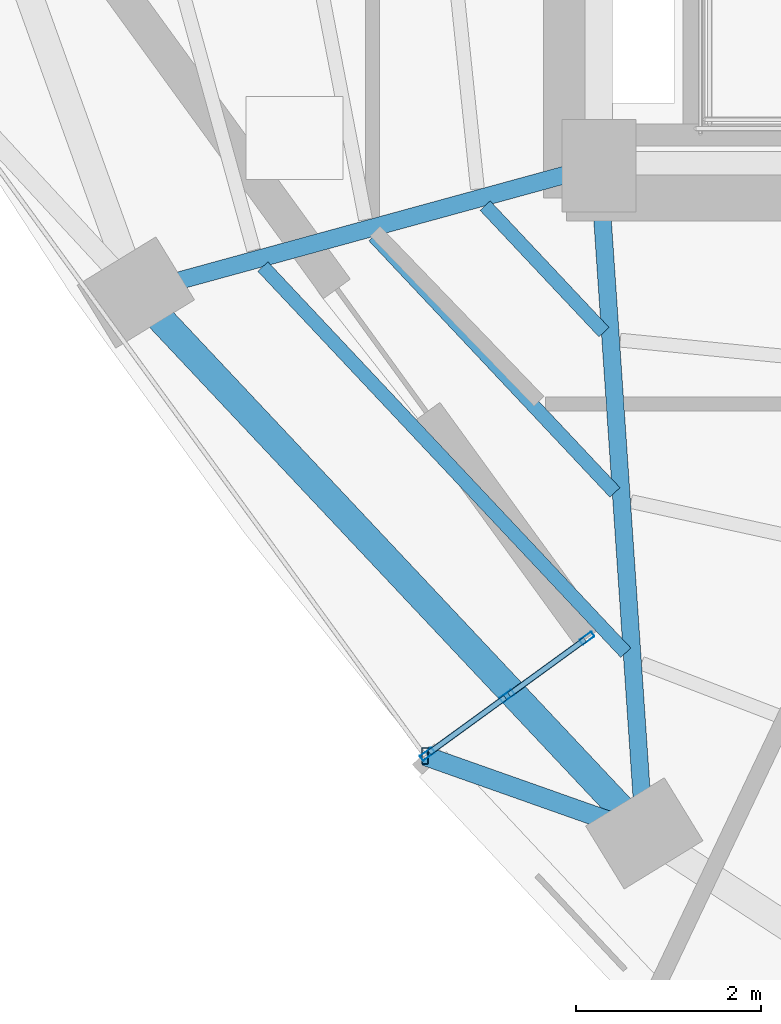
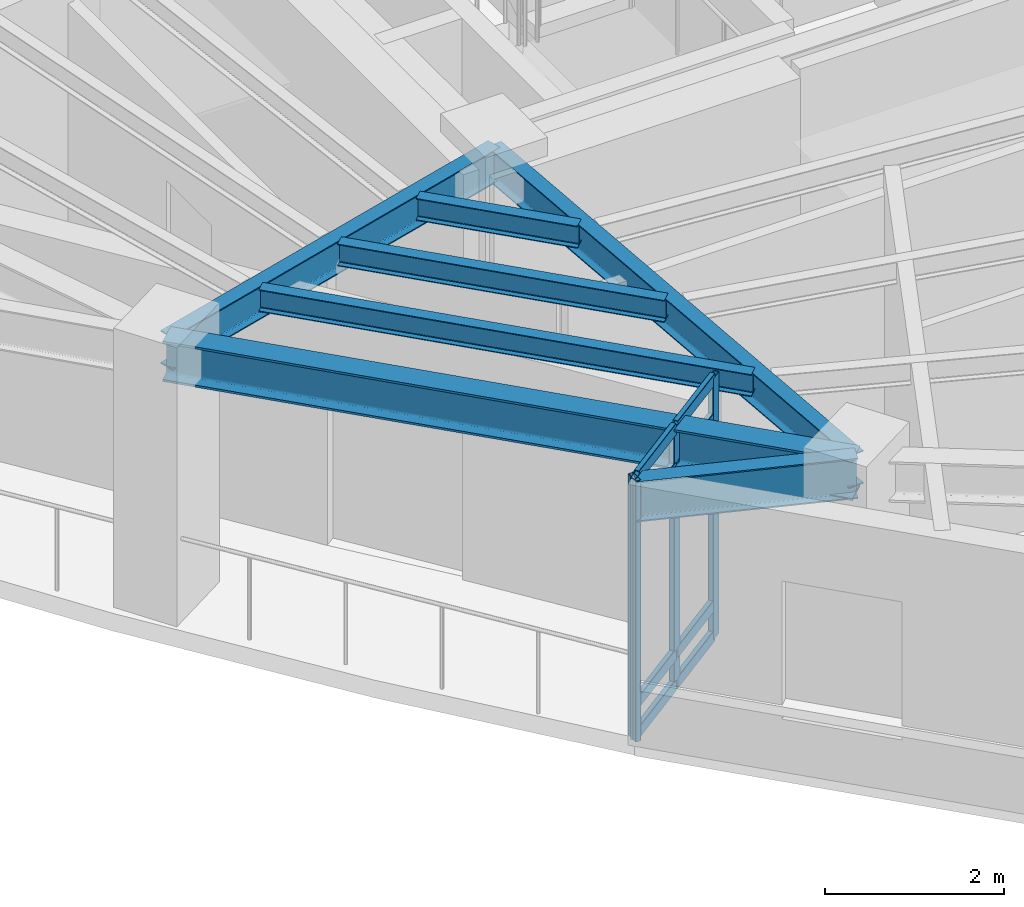
# One storey, part 2 of 13: 12 members, 7 beams, 1 element without a shape of its own.
"""IFC4 building model written with IfcOpenShell, lengths in metres."""

from ifc_helpers import new_model, si_unit, direction, frame, origin, origin_2d, place, context, subcontext, project, spatial, hollow_rectangle, i_section, extrude, material, layer, layer_set, material_profile, profile_set, type_object, element, aggregate, save


model = new_model("IFC4")

# Units and contexts
model_context = context("Model", 3, precision=1e-05, world=origin(), true_north=direction((0.0, 1.0)))
body_context = subcontext(model_context, "Body", "Model", "MODEL_VIEW")
ifc_project = project(units=[si_unit("LENGTHUNIT", "METRE"), si_unit("AREAUNIT", "SQUARE_METRE"), si_unit("VOLUMEUNIT", "CUBIC_METRE"), si_unit("PLANEANGLEUNIT", "RADIAN"), si_unit("MASSUNIT", "GRAM", prefix="KILO")], contexts=[model_context])

# Site, building, storey
site_placement = place(None, origin())
site = spatial("IfcSite", under=ifc_project, at=site_placement, CompositionType="ELEMENT")
building_placement = place(site_placement, origin())
building = spatial("IfcBuilding", under=site, at=building_placement, Name="Ndelora Gate Hotel", CompositionType="ELEMENT")
storey_placement = place(building_placement, frame((0.0, 0.0, 235.949951171875)))
storey = spatial("IfcBuildingStorey", under=building, at=storey_placement, Name="L59", CompositionType="ELEMENT", Elevation=235.949951171875)

# Beams
ifc_material_1 = material(Name="Steel S355", Category="steel")
ifc_material_profile_1 = material_profile(ifc_material_1, i_section(OverallWidth=0.14990234375, OverallDepth=0.300048828125, WebThickness=0.007080078125, FlangeThickness=0.0107421875, FilletRadius=0.014892578125, at=origin_2d()), Name="IPE 300")
ifc_profile_set_1 = profile_set([ifc_material_profile_1], Name="Steel S355")
beam_type_1 = type_object("IfcBeamType", Name="BM-JST-300", PredefinedType="JOIST", material=ifc_profile_set_1)
beam_1_placement = place(storey_placement, frame((-9.231201171875, -7.03369140625, 3.400146484375), z_axis=(0.684943115963, -0.728596546722, 0.0), x_axis=(0.728596546722, 0.684943115963, 0.0)))
element("IfcBeam", 1, at=beam_1_placement, inside=storey, type_object=beam_type_1, Name="L59 Secondary Composite Floor Joist IN-3", PredefinedType="JOIST", context=body_context, shape_type="SweptSolid", body=[
    extrude(i_section(OverallWidth=0.14990234375, OverallDepth=0.300048828125, WebThickness=0.007080078125, FlangeThickness=0.0107421875, FilletRadius=0.014892578125, at=origin_2d()), origin(), (0.0, 0.0, 1.0), 1.879150390625),
])
beam_2_placement = place(storey_placement, frame((-10.43408203125, -7.36328125, 3.400146484375), z_axis=(0.684938600536, -0.728600791584, 0.0), x_axis=(0.728600791584, 0.684938600536, 0.0)))
element("IfcBeam", 2, at=beam_2_placement, inside=storey, type_object=beam_type_1, Name="L59 Secondary Composite Floor Joist MID-3", PredefinedType="JOIST", context=body_context, shape_type="SweptSolid", body=[
    extrude(i_section(OverallWidth=0.14990234375, OverallDepth=0.300048828125, WebThickness=0.007080078125, FlangeThickness=0.0107421875, FilletRadius=0.014892578125, at=origin_2d()), origin(), (0.0, 0.0, 1.0), 3.807861328125),
])
beam_3_placement = place(storey_placement, frame((-11.636962890625, -7.693115234375, 3.400146484375), z_axis=(0.68493576734, -0.728603454986, 0.0), x_axis=(0.728603454986, 0.68493576734, 0.0)))
element("IfcBeam", 3, at=beam_3_placement, inside=storey, type_object=beam_type_1, Name="L59 Secondary Composite Floor Joist OUT-3", PredefinedType="JOIST", context=body_context, shape_type="SweptSolid", body=[
    extrude(i_section(OverallWidth=0.14990234375, OverallDepth=0.300048828125, WebThickness=0.007080078125, FlangeThickness=0.0107421875, FilletRadius=0.014892578125, at=origin_2d()), origin(), (0.0, 0.0, 1.0), 5.736328125),
])
ifc_material_profile_2 = material_profile(ifc_material_1, i_section(OverallWidth=0.18994140625, OverallDepth=0.449951171875, WebThickness=0.009521484375, FlangeThickness=0.0146484375, FilletRadius=0.02099609375, at=origin_2d()), Name="IPE 450")
ifc_profile_set_2 = profile_set([ifc_material_profile_2], Name="Steel S355")
beam_type_2 = type_object("IfcBeamType", Name="BM-RAD-450", PredefinedType="BEAM", material=ifc_profile_set_2)
beam_4_placement = place(storey_placement, frame((-8.0, -6.60009765625, 3.324951171875), z_axis=(-0.96442695542, -0.264349480157, 0.0), x_axis=(0.264349480157, -0.96442695542, 0.0)))
element("IfcBeam", 4, at=beam_4_placement, inside=storey, type_object=beam_type_2, Name="L59 Radial Floor Girder 3", PredefinedType="BEAM", context=body_context, shape_type="SweptSolid", body=[
    extrude(i_section(OverallWidth=0.18994140625, OverallDepth=0.449951171875, WebThickness=0.009521484375, FlangeThickness=0.0146484375, FilletRadius=0.02099609375, at=origin_2d()), origin(), (0.0, 0.0, 1.0), 5.19677734375),
])
beam_5_placement = place(storey_placement, frame((-8.0, -6.60009765625, 3.324951171875), z_axis=(0.067867612113, -0.997694335569, 0.0), x_axis=(0.997694335569, 0.067867612113, 0.0)))
element("IfcBeam", 5, at=beam_5_placement, inside=storey, type_object=beam_type_2, Name="L59 Radial Floor Girder 4", PredefinedType="BEAM", context=body_context, shape_type="SweptSolid", body=[
    extrude(i_section(OverallWidth=0.18994140625, OverallDepth=0.449951171875, WebThickness=0.009521484375, FlangeThickness=0.0146484375, FilletRadius=0.02099609375, at=origin_2d()), origin(), (0.0, 0.0, 1.0), 7.244873046875),
])
ifc_material_profile_3 = material_profile(ifc_material_1, i_section(OverallWidth=0.2099609375, OverallDepth=0.550048828125, WebThickness=0.010986328125, FlangeThickness=0.01708984375, FilletRadius=0.02392578125, at=origin_2d()), Name="IPE 550")
ifc_profile_set_3 = profile_set([ifc_material_profile_3], Name="Steel S355")
beam_type_3 = type_object("IfcBeamType", Name="BM-RAD-550", PredefinedType="BEAM", material=ifc_profile_set_3)
beam_6_placement = place(storey_placement, frame((-7.50830078125, -13.828369140625, 3.275146484375), z_axis=(-0.942868544611, 0.333164985529, 0.0), x_axis=(-0.333164985529, -0.942868544611, 0.0)))
element("IfcBeam", 6, at=beam_6_placement, inside=storey, type_object=beam_type_3, Name="L59 Sky-Garden Loggia Column Bracket 3", PredefinedType="BEAM", context=body_context, shape_type="SweptSolid", body=[
    extrude(i_section(OverallWidth=0.2099609375, OverallDepth=0.550048828125, WebThickness=0.010986328125, FlangeThickness=0.01708984375, FilletRadius=0.02392578125, at=origin_2d()), origin(), (0.0, 0.0, 1.0), 2.517822265625),
])
ifc_material_profile_4 = material_profile(ifc_material_1, i_section(OverallWidth=0.300048828125, OverallDepth=0.550048828125, WebThickness=0.014892578125, FlangeThickness=0.029052734375, FilletRadius=0.027099609375, at=origin_2d()), Name="HEB 550")
ifc_profile_set_4 = profile_set([ifc_material_profile_4], Name="Steel S355")
beam_type_4 = type_object("IfcBeamType", Name="BM-RING-550", PredefinedType="SPANDREL", material=ifc_profile_set_4)
beam_7_placement = place(storey_placement, frame((-13.011962890625, -7.973876953125, 3.275146484375), z_axis=(0.684939043371, -0.728600375285, 0.0), x_axis=(0.728600375285, 0.684939043371, 0.0)))
element("IfcBeam", 7, at=beam_7_placement, inside=storey, type_object=beam_type_4, Name="L59 Perimeter Spandrel Girder 3", PredefinedType="SPANDREL", context=body_context, shape_type="SweptSolid", body=[
    extrude(i_section(OverallWidth=0.300048828125, OverallDepth=0.550048828125, WebThickness=0.014892578125, FlangeThickness=0.029052734375, FilletRadius=0.027099609375, at=origin_2d()), origin(), (0.0, 0.0, 1.0), 8.03515625),
])

# Curtain wall, members
ifc_material_2 = material(Name="Bronze Anodised Unitised Aluminium and Low-E Glass", Category="aluminium")
ifc_layer = layer(ifc_material_2, 0.199951171875)
ifc_layer_set = layer_set([ifc_layer], Name="Bronze Anodised Unitised Aluminium and Low-E Glass")
curtain_wall_type = type_object("IfcCurtainWallType", Name="CW-SYS-3", PredefinedType="NOTDEFINED", material=ifc_layer_set)
curtain_wall_placement = place(storey_placement, origin())
curtain_wall = element("IfcCurtainWall", 8, at=curtain_wall_placement, inside=storey, type_object=curtain_wall_type, Name="L59 Sky-Garden Loggia Side Curtain Wall CW3-2", PredefinedType="NOTDEFINED")
ifc_material_3 = material(Name="Bronze Anodised Aluminium 6063-T6", Category="aluminium")
ifc_material_profile_5 = material_profile(ifc_material_3, hollow_rectangle(XDim=0.06494140625, YDim=0.159912109375, WallThickness=0.00390625, InnerFilletRadius=0.00390625, OuterFilletRadius=0.008056640625, at=origin_2d()), Name="ALU 160x65x4")
ifc_profile_set_5 = profile_set([ifc_material_profile_5], Name="Bronze Anodised Aluminium 6063-T6")
member_type_1 = type_object("IfcMemberType", Name="MB-CW-MUL150", PredefinedType="MULLION", material=ifc_profile_set_5)
member_1_placement = place(storey_placement, frame((-9.85595703125, -12.97021484375, -0.00390625), z_axis=(0.0, 0.0, 1.0), x_axis=(-0.587763521074, 0.809032782583, 0.0)))
member_1 = element("IfcMember", 9, at=member_1_placement, type_object=member_type_1, Name="CW3 mullion 1", PredefinedType="MULLION", context=body_context, shape_type="SweptSolid", body=[
    extrude(hollow_rectangle(XDim=0.06494140625, YDim=0.159912109375, WallThickness=0.00390625, InnerFilletRadius=0.00390625, OuterFilletRadius=0.008056640625, at=origin_2d()), origin(), (0.0, 0.0, 1.0), 3.557861328125),
])
member_2_placement = place(storey_placement, frame((-8.992431640625, -12.3427734375, -0.00390625), z_axis=(0.0, 0.0, 1.0), x_axis=(-0.587763521074, 0.809032782583, 0.0)))
member_2 = element("IfcMember", 10, at=member_2_placement, type_object=member_type_1, Name="CW3 mullion 2", PredefinedType="MULLION", context=body_context, shape_type="SweptSolid", body=[
    extrude(hollow_rectangle(XDim=0.06494140625, YDim=0.159912109375, WallThickness=0.00390625, InnerFilletRadius=0.00390625, OuterFilletRadius=0.008056640625, at=origin_2d()), origin(), (0.0, 0.0, 1.0), 3.557861328125),
])
member_3_placement = place(storey_placement, frame((-8.128662109375, -11.71533203125, -0.00390625), z_axis=(0.0, 0.0, 1.0), x_axis=(-0.587763521074, 0.809032782583, 0.0)))
member_3 = element("IfcMember", 11, at=member_3_placement, type_object=member_type_1, Name="CW3 mullion 3", PredefinedType="MULLION", context=body_context, shape_type="SweptSolid", body=[
    extrude(hollow_rectangle(XDim=0.06494140625, YDim=0.159912109375, WallThickness=0.00390625, InnerFilletRadius=0.00390625, OuterFilletRadius=0.008056640625, at=origin_2d()), origin(), (0.0, 0.0, 1.0), 3.557861328125),
])
ifc_material_profile_6 = material_profile(ifc_material_3, hollow_rectangle(XDim=0.070068359375, YDim=0.179931640625, WallThickness=0.0048828125, InnerFilletRadius=0.0048828125, OuterFilletRadius=0.010009765625, at=origin_2d()), Name="ALU 180x70x5")
ifc_profile_set_6 = profile_set([ifc_material_profile_6], Name="Bronze Anodised Aluminium 6063-T6")
member_type_2 = type_object("IfcMemberType", Name="MB-CW-MUL180", PredefinedType="MULLION", material=ifc_profile_set_6)
member_4_placement = place(storey_placement, frame((-9.88232421875, -12.989501953125, 0.0), z_axis=(0.0, 0.0, 1.0), x_axis=(1.0, 0.0, 0.0)))
member_4 = element("IfcMember", 12, at=member_4_placement, type_object=member_type_2, Name="L59 Sky-Garden Loggia Corner Mullion Post 2", PredefinedType="MULLION", context=body_context, shape_type="SweptSolid", body=[
    extrude(hollow_rectangle(XDim=0.070068359375, YDim=0.179931640625, WallThickness=0.0048828125, InnerFilletRadius=0.0048828125, OuterFilletRadius=0.010009765625, at=origin_2d()), origin(), (0.0, 0.0, 1.0), 3.550048828125),
])
ifc_material_profile_7 = material_profile(ifc_material_3, hollow_rectangle(XDim=0.06494140625, YDim=0.159912109375, WallThickness=0.00390625, InnerFilletRadius=0.00390625, OuterFilletRadius=0.008056640625, at=origin_2d()), Name="ALU 160x65x4")
ifc_profile_set_7 = profile_set([ifc_material_profile_7], Name="Bronze Anodised Aluminium 6063-T6")
member_type_3 = type_object("IfcMemberType", Name="MB-CW-TRN150", PredefinedType="USERDEFINED", material=ifc_profile_set_7)
member_5_placement = place(storey_placement, frame((-9.83447265625, -12.954833984375, 0.032470703125), z_axis=(0.808975339931, 0.587842580444, 0.0), x_axis=(-0.587842580444, 0.808975339931, 0.0)))
member_5 = element("IfcMember", 13, at=member_5_placement, type_object=member_type_3, Name="CW3 transom 1.1", ObjectType="TRANSOM", PredefinedType="USERDEFINED", context=body_context, shape_type="SweptSolid", body=[
    extrude(hollow_rectangle(XDim=0.06494140625, YDim=0.159912109375, WallThickness=0.00390625, InnerFilletRadius=0.00390625, OuterFilletRadius=0.008056640625, at=origin_2d()), origin(), (0.0, 0.0, 1.0), 1.0146484375),
])
member_6_placement = place(storey_placement, frame((-9.83447265625, -12.954833984375, 0.449951171875), z_axis=(0.808975339931, 0.587842580444, 0.0), x_axis=(-0.587842580444, 0.808975339931, 0.0)))
member_6 = element("IfcMember", 14, at=member_6_placement, type_object=member_type_3, Name="CW3 transom 1.2", ObjectType="TRANSOM", PredefinedType="USERDEFINED", context=body_context, shape_type="SweptSolid", body=[
    extrude(hollow_rectangle(XDim=0.06494140625, YDim=0.159912109375, WallThickness=0.00390625, InnerFilletRadius=0.00390625, OuterFilletRadius=0.008056640625, at=origin_2d()), origin(), (0.0, 0.0, 1.0), 1.0146484375),
])
member_7_placement = place(storey_placement, frame((-9.83447265625, -12.954833984375, 3.0), z_axis=(0.808975339931, 0.587842580444, 0.0), x_axis=(-0.587842580444, 0.808975339931, 0.0)))
member_7 = element("IfcMember", 15, at=member_7_placement, type_object=member_type_3, Name="CW3 transom 1.3", ObjectType="TRANSOM", PredefinedType="USERDEFINED", context=body_context, shape_type="SweptSolid", body=[
    extrude(hollow_rectangle(XDim=0.06494140625, YDim=0.159912109375, WallThickness=0.00390625, InnerFilletRadius=0.00390625, OuterFilletRadius=0.008056640625, at=origin_2d()), origin(), (0.0, 0.0, 1.0), 1.0146484375),
])
member_8_placement = place(storey_placement, frame((-9.83447265625, -12.954833984375, 3.517578125), z_axis=(0.808975339931, 0.587842580444, 0.0), x_axis=(-0.587842580444, 0.808975339931, 0.0)))
member_8 = element("IfcMember", 16, at=member_8_placement, type_object=member_type_3, Name="CW3 transom 1.4", ObjectType="TRANSOM", PredefinedType="USERDEFINED", context=body_context, shape_type="SweptSolid", body=[
    extrude(hollow_rectangle(XDim=0.06494140625, YDim=0.159912109375, WallThickness=0.00390625, InnerFilletRadius=0.00390625, OuterFilletRadius=0.008056640625, at=origin_2d()), origin(), (0.0, 0.0, 1.0), 1.0146484375),
])
member_9_placement = place(storey_placement, frame((-8.970947265625, -12.327392578125, 0.032470703125), z_axis=(0.808975339931, 0.587842580444, 0.0), x_axis=(-0.587842580444, 0.808975339931, 0.0)))
member_9 = element("IfcMember", 17, at=member_9_placement, type_object=member_type_3, Name="CW3 transom 2.1", ObjectType="TRANSOM", PredefinedType="USERDEFINED", context=body_context, shape_type="SweptSolid", body=[
    extrude(hollow_rectangle(XDim=0.06494140625, YDim=0.159912109375, WallThickness=0.00390625, InnerFilletRadius=0.00390625, OuterFilletRadius=0.008056640625, at=origin_2d()), origin(), (0.0, 0.0, 1.0), 1.0146484375),
])
member_10_placement = place(storey_placement, frame((-8.970947265625, -12.327392578125, 0.449951171875), z_axis=(0.808975339931, 0.587842580444, 0.0), x_axis=(-0.587842580444, 0.808975339931, 0.0)))
member_10 = element("IfcMember", 18, at=member_10_placement, type_object=member_type_3, Name="CW3 transom 2.2", ObjectType="TRANSOM", PredefinedType="USERDEFINED", context=body_context, shape_type="SweptSolid", body=[
    extrude(hollow_rectangle(XDim=0.06494140625, YDim=0.159912109375, WallThickness=0.00390625, InnerFilletRadius=0.00390625, OuterFilletRadius=0.008056640625, at=origin_2d()), origin(), (0.0, 0.0, 1.0), 1.0146484375),
])
member_11_placement = place(storey_placement, frame((-8.970947265625, -12.327392578125, 3.0), z_axis=(0.808975339931, 0.587842580444, 0.0), x_axis=(-0.587842580444, 0.808975339931, 0.0)))
member_11 = element("IfcMember", 19, at=member_11_placement, type_object=member_type_3, Name="CW3 transom 2.3", ObjectType="TRANSOM", PredefinedType="USERDEFINED", context=body_context, shape_type="SweptSolid", body=[
    extrude(hollow_rectangle(XDim=0.06494140625, YDim=0.159912109375, WallThickness=0.00390625, InnerFilletRadius=0.00390625, OuterFilletRadius=0.008056640625, at=origin_2d()), origin(), (0.0, 0.0, 1.0), 1.0146484375),
])
member_12_placement = place(storey_placement, frame((-8.970947265625, -12.327392578125, 3.517578125), z_axis=(0.808975339931, 0.587842580444, 0.0), x_axis=(-0.587842580444, 0.808975339931, 0.0)))
member_12 = element("IfcMember", 20, at=member_12_placement, type_object=member_type_3, Name="CW3 transom 2.4", ObjectType="TRANSOM", PredefinedType="USERDEFINED", context=body_context, shape_type="SweptSolid", body=[
    extrude(hollow_rectangle(XDim=0.06494140625, YDim=0.159912109375, WallThickness=0.00390625, InnerFilletRadius=0.00390625, OuterFilletRadius=0.008056640625, at=origin_2d()), origin(), (0.0, 0.0, 1.0), 1.0146484375),
])
aggregate(curtain_wall, [member_1, member_2, member_3, member_5, member_6, member_7, member_8, member_9, member_10, member_11, member_12, member_4])

save(model, "model.ifc")
